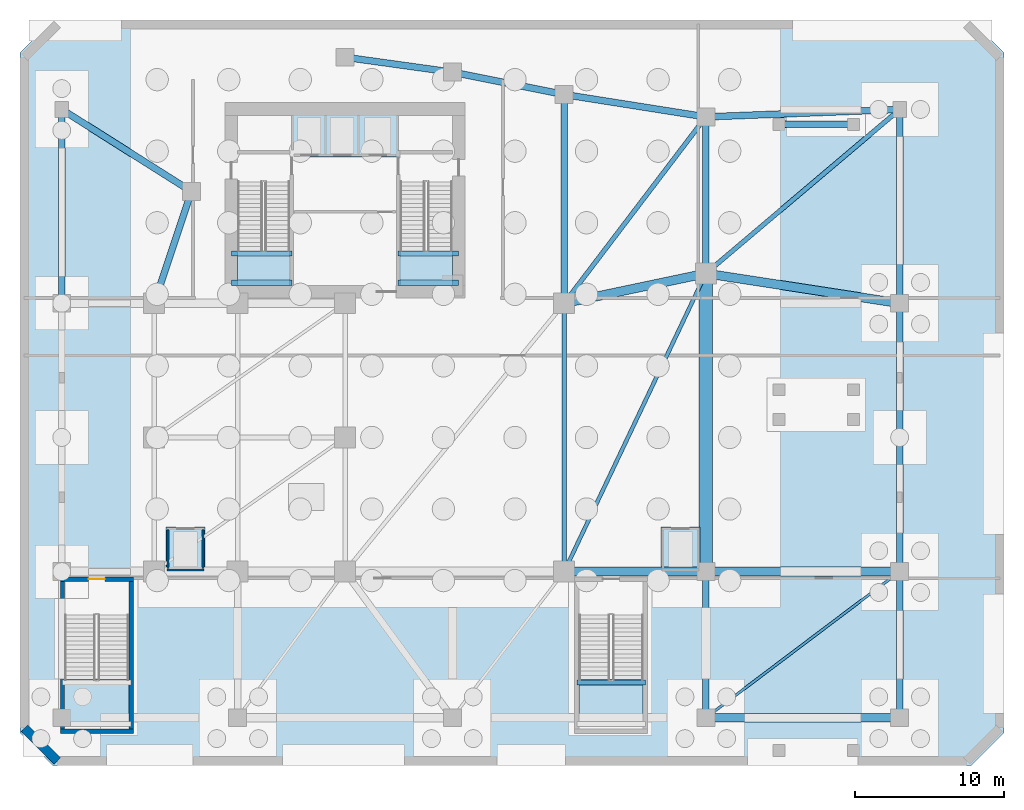
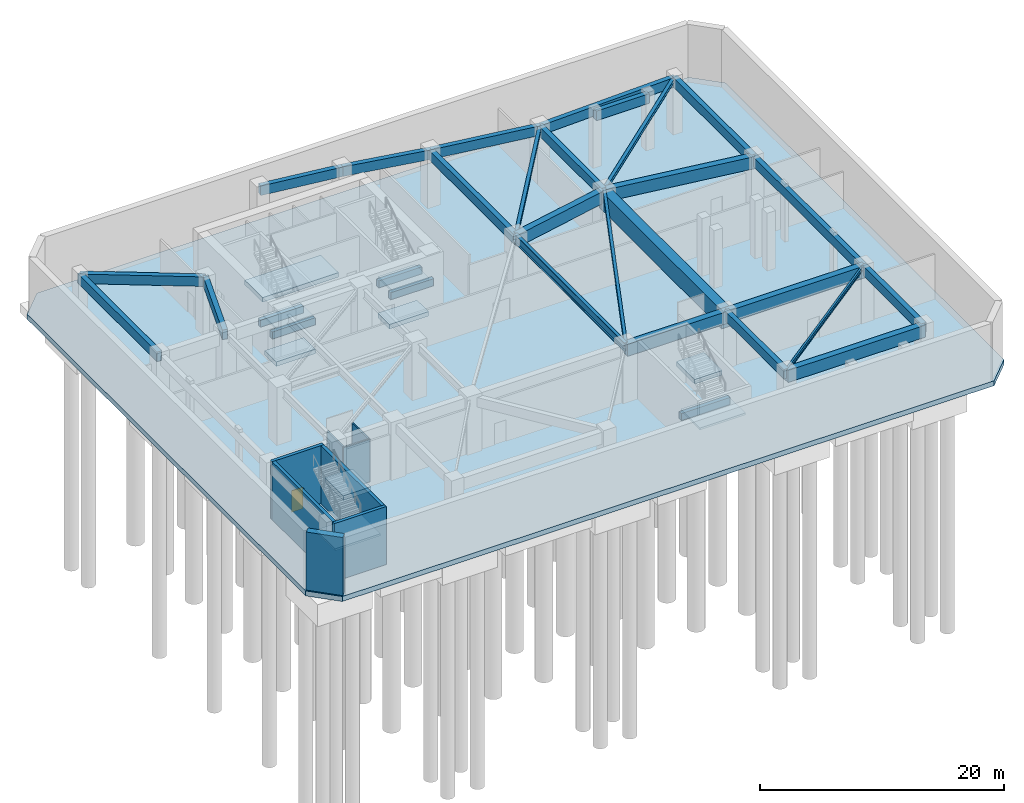
# One storey, part 3 of 9: 30 beams, 10 slabs, 8 walls, 1 door, 1 opening, 4 elements without a shape of their own.
"""IFC4 building model written with IfcOpenShell, lengths in metres."""

import ifcopenshell
import ifcopenshell.guid

model = None  # the IFC model being written
_history = None  # IfcOwnerHistory: only IFC2X3 demands one
_inside = {}  # id of a spatial element -> (the spatial element, [elements in it])
_under = {}  # id of a project, library or spatial element -> (it, [spatial elements below it])
_declared = {}  # id of a project -> (the project, [libraries it declares])
_typed = {}  # id of a type object -> (the type object, [elements of that type])
_made_of = {}  # id of a material, layer set ... -> (it, [elements and type objects made of it])


def new_model(schema):
    """Start an empty IFC model of exactly this schema.

    Asked for "IFC4X3", IfcOpenShell would pick the latest addendum, in which some entities
    have other attributes; the version numbers below select the first issue.
    IFC2X3 requires an IfcOwnerHistory on every rooted entity: one is made here for all.
    """
    global model, _history
    if schema == "IFC4X3":
        model = ifcopenshell.file(schema_version=(4, 3, 0, 0))
    else:
        model = ifcopenshell.file(schema=schema)
    _inside.clear()
    _under.clear()
    _declared.clear()
    _typed.clear()
    _made_of.clear()
    _history = None
    if model.schema == "IFC2X3":
        org = make("IfcOrganization", Name="unknown")
        user = make(
            "IfcPersonAndOrganization",
            ThePerson=make("IfcPerson", FamilyName="unknown"),
            TheOrganization=org,
        )
        app = make(
            "IfcApplication",
            ApplicationDeveloper=org,
            Version="unknown",
            ApplicationFullName="unknown",
            ApplicationIdentifier="unknown",
        )
        _history = make(
            "IfcOwnerHistory",
            OwningUser=user,
            OwningApplication=app,
            ChangeAction="ADDED",
            CreationDate=0,
        )
    return model


def make(cls, **values):
    """One entity of the class cls with the attributes given. An attribute that is None is left unset."""
    return model.create_entity(
        cls, **{name: value for name, value in values.items() if value is not None}
    )


def rooted(cls, **values):
    """An entity with a GlobalId (a new one), such as an element, a storey or a relation."""
    return make(cls, GlobalId=ifcopenshell.guid.new(), OwnerHistory=_history, **values)


def si_unit(unit_type, name, prefix=None):
    """IfcSIUnit, for example si_unit("LENGTHUNIT", "METRE", prefix="MILLI")."""
    return make("IfcSIUnit", UnitType=unit_type, Prefix=prefix, Name=name)


def assignment(units):
    """IfcUnitAssignment: the units of a project."""
    return None if units is None else make("IfcUnitAssignment", Units=units)


def point(xyz):
    """IfcCartesianPoint."""
    return None if xyz is None else make("IfcCartesianPoint", Coordinates=xyz)


def direction(xyz):
    """IfcDirection."""
    return None if xyz is None else make("IfcDirection", DirectionRatios=xyz)


def frame(location, z_axis=None, x_axis=None):
    """IfcAxis2Placement3D, a coordinate frame: its origin and axes. An axis left out is left unset."""
    return make(
        "IfcAxis2Placement3D",
        Location=point(location),
        Axis=direction(z_axis),
        RefDirection=direction(x_axis),
    )


def frame_2d(location, x_axis=None):
    """IfcAxis2Placement2D, a coordinate frame in the plane: its origin and x axis."""
    return make(
        "IfcAxis2Placement2D", Location=point(location), RefDirection=direction(x_axis)
    )


def origin():
    """The frame at (0, 0, 0) with its axes left unset."""
    return frame((0.0, 0.0, 0.0))


def origin_2d():
    """The frame at (0, 0) in the plane with its x axis left unset."""
    return frame_2d((0.0, 0.0))


def place(relative_to, where):
    """IfcLocalPlacement: puts the frame where relative to a parent placement (None: the world)."""
    return make(
        "IfcLocalPlacement", PlacementRelTo=relative_to, RelativePlacement=where
    )


def context(
    kind, dimensions, precision=None, world=None, true_north=None, identifier=None
):
    """IfcGeometricRepresentationContext, for example the 3D "Model" context."""
    return make(
        "IfcGeometricRepresentationContext",
        ContextIdentifier=identifier,
        ContextType=kind,
        CoordinateSpaceDimension=dimensions,
        Precision=precision,
        WorldCoordinateSystem=world,
        TrueNorth=true_north,
    )


def subcontext(parent, identifier, kind, view, scale=None):
    """IfcGeometricRepresentationSubContext, for example "Body" below "Model"."""
    return make(
        "IfcGeometricRepresentationSubContext",
        ContextIdentifier=identifier,
        ContextType=kind,
        ParentContext=parent,
        TargetScale=scale,
        TargetView=view,
    )


def project(units=None, contexts=None):
    """IfcProject with its units and contexts."""
    return rooted(
        "IfcProject",
        Name="project",
        RepresentationContexts=contexts,
        UnitsInContext=assignment(units),
    )


def spatial(cls, under=None, at=None, **own):
    """A site, building, storey or space (cls), placed at a placement, below another one or the project."""
    s = rooted(cls, ObjectPlacement=at, **own)
    if under is not None:
        _under.setdefault(under.id(), (under, []))[1].append(s)
    return s


def polyline(points):
    """IfcPolyline through the points."""
    return make("IfcPolyline", Points=[point(p) for p in points])


def profile(cls, at=None, kind="AREA", **sizes):
    """A parametric profile (cls). Its sizes go by their IFC names, for example OverallWidth=200.0."""
    return make(cls, ProfileType=kind, Position=at, **sizes)


def rectangle(**sizes):
    """IfcRectangleProfileDef."""
    return profile("IfcRectangleProfileDef", **sizes)


def i_section(**sizes):
    """IfcIShapeProfileDef."""
    return profile("IfcIShapeProfileDef", **sizes)


def outline(outer, holes=None, kind="AREA"):
    """IfcArbitraryClosedProfileDef: a profile drawn as a closed curve; with holes, ...WithVoids."""
    if holes is None:
        return make("IfcArbitraryClosedProfileDef", ProfileType=kind, OuterCurve=outer)
    return make(
        "IfcArbitraryProfileDefWithVoids",
        ProfileType=kind,
        OuterCurve=outer,
        InnerCurves=holes,
    )


def extrude(swept, where, along, depth):
    """IfcExtrudedAreaSolid: the profile swept, set in the frame where, extruded along a direction by depth."""
    return make(
        "IfcExtrudedAreaSolid",
        SweptArea=swept,
        Position=where,
        ExtrudedDirection=direction(along),
        Depth=depth,
    )


def shape(context_of_items, identifier, shape_type, items):
    """IfcShapeRepresentation: the items that make up one representation, for example the "Body"."""
    return make(
        "IfcShapeRepresentation",
        ContextOfItems=context_of_items,
        RepresentationIdentifier=identifier,
        RepresentationType=shape_type,
        Items=items,
    )


def source(mapping_origin, context_of_items, identifier, shape_type, items):
    """IfcRepresentationMap: a shape defined once, which mapped items show again and again."""
    return make(
        "IfcRepresentationMap",
        MappingOrigin=mapping_origin,
        MappedRepresentation=shape(context_of_items, identifier, shape_type, items),
    )


def transform(
    local_origin,
    x_axis=None,
    y_axis=None,
    z_axis=None,
    scale=None,
    scale2=None,
    scale3=None,
    uniform=True,
):
    """IfcCartesianTransformationOperator3D, or its non-uniform kind. x_axis, y_axis, z_axis: its Axis1, 2, 3."""
    if uniform:
        return make(
            "IfcCartesianTransformationOperator3D",
            Axis1=direction(x_axis),
            Axis2=direction(y_axis),
            LocalOrigin=point(local_origin),
            Scale=scale,
            Axis3=direction(z_axis),
        )
    return make(
        "IfcCartesianTransformationOperator3DnonUniform",
        Axis1=direction(x_axis),
        Axis2=direction(y_axis),
        LocalOrigin=point(local_origin),
        Scale=scale,
        Axis3=direction(z_axis),
        Scale2=scale2,
        Scale3=scale3,
    )


def mapped(mapping_source, mapping_target):
    """IfcMappedItem: shows the shape of a source again, moved by a transform."""
    return make(
        "IfcMappedItem", MappingSource=mapping_source, MappingTarget=mapping_target
    )


def material(Name=None, Category=None):
    """IfcMaterial."""
    return make("IfcMaterial", Name=Name, Category=Category)


def layer(
    of_material, thickness, ventilated=None, Name=None, Category=None, Priority=None
):
    """IfcMaterialLayer: one layer of a wall or slab, of a material (None: an air gap)."""
    return make(
        "IfcMaterialLayer",
        Material=of_material,
        LayerThickness=thickness,
        IsVentilated=ventilated,
        Name=Name,
        Category=Category,
        Priority=Priority,
    )


def layer_set(layers, Name=None):
    """IfcMaterialLayerSet."""
    return make("IfcMaterialLayerSet", MaterialLayers=layers, LayerSetName=Name)


def material_profile(
    of_material, cross_section, Name=None, Category=None, Priority=None
):
    """IfcMaterialProfile: a cross section and its material."""
    return make(
        "IfcMaterialProfile",
        Name=Name,
        Material=of_material,
        Profile=cross_section,
        Priority=Priority,
        Category=Category,
    )


def profile_set(profiles, Name=None, composite=None):
    """IfcMaterialProfileSet."""
    return make(
        "IfcMaterialProfileSet",
        Name=Name,
        MaterialProfiles=profiles,
        CompositeProfile=composite,
    )


def made_of(thing, what):
    """Note that an element or type object is made of a material, layer set ...; save() writes the relation."""
    if what is not None:
        _made_of.setdefault(what.id(), (what, []))[1].append(thing)
    return thing


def type_object(cls, material=None, **own):
    """A type object (cls), such as IfcWallType, which elements share."""
    return made_of(rooted(cls, **own), material)


def element(
    cls,
    number,
    at=None,
    inside=None,
    cuts=None,
    type_object=None,
    material=None,
    context=None,
    identifier="Body",
    shape_type=None,
    held_by="IfcProductDefinitionShape",
    body=None,
    shapes=None,
    **own,
):
    """One element of the class cls, such as IfcWall. Its Tag is "e" and its number.

    at: its placement. inside: the storey or other place that contains it. cuts: it is an
    opening in that element (IfcRelVoidsElement). A single representation is given by context,
    identifier, shape_type and body (its items); several are given by shapes. held_by: the class
    of the entity that holds the representations. save() writes the other relations.
    """
    e = rooted(cls, Tag="e%d" % number, ObjectPlacement=at, **own)
    if body is not None:
        shapes = [shape(context, identifier, shape_type, body)]
    if shapes is not None:
        e.Representation = make(held_by, Representations=shapes)
    if inside is not None:
        _inside.setdefault(inside.id(), (inside, []))[1].append(e)
    if cuts is not None:
        rooted(
            "IfcRelVoidsElement", RelatingBuildingElement=cuts, RelatedOpeningElement=e
        )
    if type_object is not None:
        _typed.setdefault(type_object.id(), (type_object, []))[1].append(e)
    return made_of(e, material)


def fill(opening, filler):
    """IfcRelFillsElement: the door or window that sits in an opening."""
    return rooted(
        "IfcRelFillsElement",
        RelatingOpeningElement=opening,
        RelatedBuildingElement=filler,
    )


def aggregate(whole, parts):
    """IfcRelAggregates: a whole, such as a stair, and the parts it consists of."""
    return rooted("IfcRelAggregates", RelatingObject=whole, RelatedObjects=parts)


def save(model, path):
    """Write the relations noted so far, then the file.

    IfcRelAggregates (storeys below a building ...), IfcRelContainedInSpatialStructure (elements
    in a storey), IfcRelDefinesByType, IfcRelAssociatesMaterial and IfcRelDeclares: one each for
    every whole, place, type object, material and project.
    """
    for whole, parts in _under.values():
        aggregate(whole, parts)
    for where, things in _inside.values():
        rooted(
            "IfcRelContainedInSpatialStructure",
            RelatedElements=things,
            RelatingStructure=where,
        )
    for kind, things in _typed.values():
        rooted("IfcRelDefinesByType", RelatedObjects=things, RelatingType=kind)
    for what, things in _made_of.values():
        rooted("IfcRelAssociatesMaterial", RelatedObjects=things, RelatingMaterial=what)
    for by, libraries in _declared.values():
        rooted("IfcRelDeclares", RelatingContext=by, RelatedDefinitions=libraries)
    model.write(path)


model = new_model("IFC4")

# Units and contexts
model_context = context("Model", 3, precision=1e-05, world=origin(), true_north=direction((0.0, 1.0)))
body_context = subcontext(model_context, "Body", "Model", "MODEL_VIEW")
ifc_project = project(units=[si_unit("LENGTHUNIT", "METRE"), si_unit("AREAUNIT", "SQUARE_METRE"), si_unit("VOLUMEUNIT", "CUBIC_METRE"), si_unit("PLANEANGLEUNIT", "RADIAN"), si_unit("MASSUNIT", "GRAM", prefix="KILO")], contexts=[model_context])

# Site, building, storey
site_placement = place(None, origin())
site = spatial("IfcSite", under=ifc_project, at=site_placement, CompositionType="ELEMENT")
building_placement = place(site_placement, origin())
building = spatial("IfcBuilding", under=site, at=building_placement, Name="Calvemar Wedge Station Tower", CompositionType="ELEMENT")
storey_placement = place(building_placement, frame((0.0, 0.0, -11.199951171875)))
storey = spatial("IfcBuildingStorey", under=building, at=storey_placement, Name="B02", CompositionType="ELEMENT", Elevation=-11.199951171875)

# Beams
ifc_material_1 = material(Name="Concrete C70", Category="concrete")
ifc_material_profile_1 = material_profile(ifc_material_1, rectangle(XDim=0.35009765625, YDim=0.699951171875, at=origin_2d()), Name="RC350x700")
ifc_profile_set_1 = profile_set([ifc_material_profile_1], Name="Concrete C70")
beam_type_1 = type_object("IfcBeamType", Name="BM-LN1-700", PredefinedType="LINTEL", material=ifc_profile_set_1)
shared_shape_1 = source(origin(), body_context, "Body", "SweptSolid", [
    extrude(rectangle(XDim=0.35009765625, YDim=0.699951171875, at=origin_2d()), origin(), (0.0, 0.0, 1.0), 4.054931640625),
])
for number, where, z_axis, x_axis, name in (
    (1, (16.175048828125, 34.3798828125, 2.349853515625), (1.0, 0.0, 0.0), (0.0, 1.0, 0.0), "Storey B02 Stair ST-C1 Half-Landing Beam 1A"),
    (2, (16.175048828125, 36.330078125, 2.349853515625), (1.0, 0.0, 0.0), (0.0, 1.0, 0.0), "Storey B02 Stair ST-C1 Half-Landing Beam 1B"),
    (3, (27.3701171875, 34.3798828125, 2.349853515625), (1.0, 0.0, 0.0), (0.0, 1.0, 0.0), "Storey B02 Stair ST-C2 Half-Landing Beam 1A"),
    (4, (27.3701171875, 36.330078125, 2.349853515625), (1.0, 0.0, 0.0), (0.0, 1.0, 0.0), "Storey B02 Stair ST-C2 Half-Landing Beam 1B"),
):
    element("IfcBeam", number, at=place(storey_placement, frame(where, z_axis=z_axis, x_axis=x_axis)), inside=storey, type_object=beam_type_1, Name=name, PredefinedType="LINTEL", context=body_context, shape_type="MappedRepresentation", body=[
        mapped(shared_shape_1, transform((0.0, 0.0, 0.0), scale=1.0)),
    ])
shared_shape_2 = source(origin(), body_context, "Body", "SweptSolid", [
    extrude(rectangle(XDim=0.35009765625, YDim=0.699951171875, at=origin_2d()), origin(), (0.0, 0.0, 1.0), 4.599853515625),
])
beam_1_placement = place(storey_placement, frame((39.35009765625, 7.570068359375, 2.349853515625), z_axis=(1.0, 0.0, 0.0), x_axis=(0.0, 1.0, 0.0)))
element("IfcBeam", 5, at=beam_1_placement, inside=storey, type_object=beam_type_1, Name="Storey B02 Stair ST-P2 Half-Landing Beam 1B", PredefinedType="LINTEL", context=body_context, shape_type="MappedRepresentation", body=[
    mapped(shared_shape_2, transform((0.0, 0.0, 0.0), scale=1.0)),
])
ifc_material_2 = material(Name="Concrete C60", Category="concrete")
ifc_material_profile_2 = material_profile(ifc_material_2, rectangle(XDim=0.60009765625, YDim=1.199951171875, at=origin_2d()), Name="RC600x1200")
ifc_profile_set_2 = profile_set([ifc_material_profile_2], Name="Concrete C60")
beam_type_2 = type_object("IfcBeamType", Name="BM-G1-1200", PredefinedType="BEAM", material=ifc_profile_set_2)
shared_shape_3 = source(origin(), body_context, "Body", "SweptSolid", [
    extrude(rectangle(XDim=0.60009765625, YDim=1.199951171875, at=origin_2d()), origin(), (0.0, 0.0, 1.0), 13.0),
])
for number, where, z_axis, x_axis, name in (
    (6, (48.0, 5.199951171875, 4.8798828125), (1.0, 0.0, 0.0), (0.0, 1.0, 0.0), "Storey B02 Primary Girder G04"),
    (7, (48.0, 15.0, 4.8798828125), (1.0, 0.0, 0.0), (0.0, 1.0, 0.0), "Storey B02 Primary Girder G10"),
):
    element("IfcBeam", number, at=place(storey_placement, frame(where, z_axis=z_axis, x_axis=x_axis)), inside=storey, type_object=beam_type_2, Name=name, PredefinedType="BEAM", context=body_context, shape_type="MappedRepresentation", body=[
        mapped(shared_shape_3, transform((0.0, 0.0, 0.0), scale=1.0)),
    ])
shared_shape_4 = source(origin(), body_context, "Body", "SweptSolid", [
    extrude(rectangle(XDim=0.60009765625, YDim=1.199951171875, at=origin_2d()), origin(), (0.0, 0.0, 1.0), 9.5),
])
beam_2_placement = place(storey_placement, frame((38.5, 15.0, 4.8798828125), z_axis=(1.0, 0.0, 0.0), x_axis=(0.0, 1.0, 0.0)))
element("IfcBeam", 8, at=beam_2_placement, inside=storey, type_object=beam_type_2, Name="Storey B02 Primary Girder G09", PredefinedType="BEAM", context=body_context, shape_type="MappedRepresentation", body=[
    mapped(shared_shape_4, transform((0.0, 0.0, 0.0), scale=1.0)),
])
shared_shape_5 = source(origin(), body_context, "Body", "SweptSolid", [
    extrude(rectangle(XDim=0.60009765625, YDim=1.199951171875, at=origin_2d()), origin(), (0.0, 0.0, 1.0), 9.708251953125),
])
beam_3_placement = place(storey_placement, frame((38.5, 33.0, 4.8798828125), z_axis=(0.978549784987, 0.20601048105, 0.0), x_axis=(-0.20601048105, 0.978549784987, 0.0)))
element("IfcBeam", 9, at=beam_3_placement, inside=storey, type_object=beam_type_2, Name="Storey B02 Primary Girder G16", PredefinedType="BEAM", context=body_context, shape_type="MappedRepresentation", body=[
    mapped(shared_shape_5, transform((0.0, 0.0, 0.0), scale=1.0)),
])
shared_shape_6 = source(origin(), body_context, "Body", "SweptSolid", [
    extrude(rectangle(XDim=0.60009765625, YDim=1.199951171875, at=origin_2d()), origin(), (0.0, 0.0, 1.0), 13.15283203125),
])
beam_4_placement = place(storey_placement, frame((48.0, 35.0, 4.8798828125), z_axis=(0.988371697651, -0.152057184254, 0.0), x_axis=(0.152057184254, 0.988371697651, 0.0)))
element("IfcBeam", 10, at=beam_4_placement, inside=storey, type_object=beam_type_2, Name="Storey B02 Primary Girder G17", PredefinedType="BEAM", context=body_context, shape_type="MappedRepresentation", body=[
    mapped(shared_shape_6, transform((0.0, 0.0, 0.0), scale=1.0)),
])
ifc_material_3 = material(Name="Concrete C50", Category="concrete")
ifc_material_profile_3 = material_profile(ifc_material_3, rectangle(XDim=0.449951171875, YDim=0.949951171875, at=origin_2d()), Name="RC450x950")
ifc_profile_set_3 = profile_set([ifc_material_profile_3], Name="Concrete C50")
beam_type_3 = type_object("IfcBeamType", Name="BM-G2-950", PredefinedType="BEAM", material=ifc_profile_set_3)
shared_shape_7 = source(origin(), body_context, "Body", "SweptSolid", [
    extrude(rectangle(XDim=0.449951171875, YDim=0.949951171875, at=origin_2d()), origin(), (0.0, 0.0, 1.0), 18.0),
])
beam_5_placement = place(storey_placement, frame((61.0, 15.0, 5.0048828125), z_axis=(0.0, 1.0, 0.0), x_axis=(-1.0, 0.0, 0.0)))
element("IfcBeam", 11, at=beam_5_placement, inside=storey, type_object=beam_type_3, Name="Storey B02 Primary Girder G26", PredefinedType="BEAM", context=body_context, shape_type="MappedRepresentation", body=[
    mapped(shared_shape_7, transform((0.0, 0.0, 0.0), scale=1.0)),
])
ifc_material_4 = material(Name="Structural steel ASTM A572 Grade 50", Category="steel")
ifc_material_profile_4 = material_profile(ifc_material_4, i_section(OverallWidth=0.303955078125, OverallDepth=0.862060546875, WebThickness=0.019775390625, FlangeThickness=0.035888671875, FilletRadius=0.02001953125, at=origin_2d()), Name="W840x329")
ifc_profile_set_4 = profile_set([ifc_material_profile_4], Name="Structural steel ASTM A572 Grade 50")
beam_type_4 = type_object("IfcBeamType", Name="BM-TR2-W840", PredefinedType="BEAM", material=ifc_profile_set_4)
shared_shape_8 = source(origin(), body_context, "Body", "SweptSolid", [
    extrude(i_section(OverallWidth=0.303955078125, OverallDepth=0.862060546875, WebThickness=0.019775390625, FlangeThickness=0.035888671875, FilletRadius=0.02001953125, at=origin_2d()), origin(), (0.0, 0.0, 1.0), 18.0),
])
beam_6_placement = place(storey_placement, frame((38.5, 15.0, 5.049072265625), z_axis=(0.0, 1.0, 0.0), x_axis=(-1.0, 0.0, 0.0)))
element("IfcBeam", 12, at=beam_6_placement, inside=storey, type_object=beam_type_4, Name="Storey B02 Primary Girder G24", PredefinedType="BEAM", context=body_context, shape_type="MappedRepresentation", body=[
    mapped(shared_shape_8, transform((0.0, 0.0, 0.0), scale=1.0)),
])
ifc_material_profile_5 = material_profile(ifc_material_2, rectangle(XDim=0.89990234375, YDim=1.800048828125, at=origin_2d()), Name="RC900x1800")
ifc_profile_set_5 = profile_set([ifc_material_profile_5], Name="Concrete C60")
beam_type_5 = type_object("IfcBeamType", Name="BM-TG2-1800", PredefinedType="BEAM", material=ifc_profile_set_5)
shared_shape_9 = source(origin(), body_context, "Body", "SweptSolid", [
    extrude(rectangle(XDim=0.89990234375, YDim=1.800048828125, at=origin_2d()), origin(), (0.0, 0.0, 1.0), 20.0),
])
beam_7_placement = place(storey_placement, frame((48.0, 15.0, 4.579833984375), z_axis=(0.0, 1.0, 0.0), x_axis=(-1.0, 0.0, 0.0)))
element("IfcBeam", 13, at=beam_7_placement, inside=storey, type_object=beam_type_5, Name="Storey B02 Primary Girder G25", PredefinedType="BEAM", context=body_context, shape_type="MappedRepresentation", body=[
    mapped(shared_shape_9, transform((0.0, 0.0, 0.0), scale=1.0)),
])
shared_shape_10 = source(origin(), body_context, "Body", "SweptSolid", [
    extrude(rectangle(XDim=0.449951171875, YDim=0.949951171875, at=origin_2d()), origin(), (0.0, 0.0, 1.0), 9.800048828125),
])
for number, where, z_axis, x_axis, name in (
    (14, (48.0, 5.199951171875, 5.0048828125), (0.0, 1.0, 0.0), (-1.0, 0.0, 0.0), "Storey B02 Primary Girder G31"),
    (15, (61.0, 5.199951171875, 5.0048828125), (0.0, 1.0, 0.0), (-1.0, 0.0, 0.0), "Storey B02 Primary Girder G32"),
):
    element("IfcBeam", number, at=place(storey_placement, frame(where, z_axis=z_axis, x_axis=x_axis)), inside=storey, type_object=beam_type_3, Name=name, PredefinedType="BEAM", context=body_context, shape_type="MappedRepresentation", body=[
        mapped(shared_shape_10, transform((0.0, 0.0, 0.0), scale=1.0)),
    ])
shared_shape_11 = source(origin(), body_context, "Body", "SweptSolid", [
    extrude(rectangle(XDim=0.449951171875, YDim=0.949951171875, at=origin_2d()), origin(), (0.0, 0.0, 1.0), 13.0),
])
for number, where, z_axis, x_axis, name in (
    (16, (4.800048828125, 33.0, 5.0048828125), (0.0, 1.0, 0.0), (-1.0, 0.0, 0.0), "Storey B02 Primary Girder G33"),
    (17, (61.0, 33.0, 5.0048828125), (0.0, 1.0, 0.0), (-1.0, 0.0, 0.0), "Storey B02 Primary Girder G37"),
):
    element("IfcBeam", number, at=place(storey_placement, frame(where, z_axis=z_axis, x_axis=x_axis)), inside=storey, type_object=beam_type_3, Name=name, PredefinedType="BEAM", context=body_context, shape_type="MappedRepresentation", body=[
        mapped(shared_shape_11, transform((0.0, 0.0, 0.0), scale=1.0)),
    ])
shared_shape_12 = source(origin(), body_context, "Body", "SweptSolid", [
    extrude(rectangle(XDim=0.449951171875, YDim=0.949951171875, at=origin_2d()), origin(), (0.0, 0.0, 1.0), 7.90576171875),
])
beam_8_placement = place(storey_placement, frame((11.0, 33.0, 5.0048828125), z_axis=(0.316227766017, 0.948683298051, 0.0), x_axis=(-0.948683298051, 0.316227766017, 0.0)))
element("IfcBeam", 18, at=beam_8_placement, inside=storey, type_object=beam_type_3, Name="Storey B02 Primary Girder G34", PredefinedType="BEAM", context=body_context, shape_type="MappedRepresentation", body=[
    mapped(shared_shape_12, transform((0.0, 0.0, 0.0), scale=1.0)),
])
shared_shape_13 = source(origin(), body_context, "Body", "SweptSolid", [
    extrude(rectangle(XDim=0.449951171875, YDim=0.949951171875, at=origin_2d()), origin(), (0.0, 0.0, 1.0), 14.0),
])
beam_9_placement = place(storey_placement, frame((38.5, 33.0, 5.0048828125), z_axis=(0.0, 1.0, 0.0), x_axis=(-1.0, 0.0, 0.0)))
element("IfcBeam", 19, at=beam_9_placement, inside=storey, type_object=beam_type_3, Name="Storey B02 Primary Girder G35", PredefinedType="BEAM", context=body_context, shape_type="MappedRepresentation", body=[
    mapped(shared_shape_13, transform((0.0, 0.0, 0.0), scale=1.0)),
])
shared_shape_14 = source(origin(), body_context, "Body", "SweptSolid", [
    extrude(rectangle(XDim=0.449951171875, YDim=0.949951171875, at=origin_2d()), origin(), (0.0, 0.0, 1.0), 10.5),
])
beam_10_placement = place(storey_placement, frame((48.0, 35.0, 5.0048828125), z_axis=(0.0, 1.0, 0.0), x_axis=(-1.0, 0.0, 0.0)))
element("IfcBeam", 20, at=beam_10_placement, inside=storey, type_object=beam_type_3, Name="Storey B02 Primary Girder G36", PredefinedType="BEAM", context=body_context, shape_type="MappedRepresentation", body=[
    mapped(shared_shape_14, transform((0.0, 0.0, 0.0), scale=1.0)),
])
shared_shape_15 = source(origin(), body_context, "Body", "SweptSolid", [
    extrude(rectangle(XDim=0.449951171875, YDim=0.949951171875, at=origin_2d()), origin(), (0.0, 0.0, 1.0), 10.292724609375),
])
beam_11_placement = place(storey_placement, frame((4.800048828125, 46.0, 5.0048828125), z_axis=(0.845256603473, -0.534360621946, 0.0), x_axis=(0.534360621946, 0.845256603473, 0.0)))
element("IfcBeam", 21, at=beam_11_placement, inside=storey, type_object=beam_type_3, Name="Storey B02 Primary Girder G38", PredefinedType="BEAM", context=body_context, shape_type="MappedRepresentation", body=[
    mapped(shared_shape_15, transform((0.0, 0.0, 0.0), scale=1.0)),
])
shared_shape_16 = source(origin(), body_context, "Body", "SweptSolid", [
    extrude(rectangle(XDim=0.449951171875, YDim=0.949951171875, at=origin_2d()), origin(), (0.0, 0.0, 1.0), 7.26904296875),
])
beam_12_placement = place(storey_placement, frame((23.800048828125, 49.5, 5.0048828125), z_axis=(0.990492146053, -0.13756928657, 0.0), x_axis=(0.13756928657, 0.990492146053, 0.0)))
element("IfcBeam", 22, at=beam_12_placement, inside=storey, type_object=beam_type_3, Name="Storey B02 Primary Girder G39", PredefinedType="BEAM", context=body_context, shape_type="MappedRepresentation", body=[
    mapped(shared_shape_16, transform((0.0, 0.0, 0.0), scale=1.0)),
])
shared_shape_17 = source(origin(), body_context, "Body", "SweptSolid", [
    extrude(rectangle(XDim=0.449951171875, YDim=0.949951171875, at=origin_2d()), origin(), (0.0, 0.0, 1.0), 7.6484375),
])
beam_13_placement = place(storey_placement, frame((31.0, 48.5, 5.0048828125), z_axis=(0.980580675691, -0.196116135138, 0.0), x_axis=(0.196116135138, 0.980580675691, 0.0)))
element("IfcBeam", 23, at=beam_13_placement, inside=storey, type_object=beam_type_3, Name="Storey B02 Primary Girder G40", PredefinedType="BEAM", context=body_context, shape_type="MappedRepresentation", body=[
    mapped(shared_shape_17, transform((0.0, 0.0, 0.0), scale=1.0)),
])
shared_shape_18 = source(origin(), body_context, "Body", "SweptSolid", [
    extrude(rectangle(XDim=0.449951171875, YDim=0.949951171875, at=origin_2d()), origin(), (0.0, 0.0, 1.0), 9.61767578125),
])
beam_14_placement = place(storey_placement, frame((38.5, 47.0, 5.0048828125), z_axis=(0.987762965329, -0.155962573473, 0.0), x_axis=(0.155962573473, 0.987762965329, 0.0)))
element("IfcBeam", 24, at=beam_14_placement, inside=storey, type_object=beam_type_3, Name="Storey B02 Primary Girder G41", PredefinedType="BEAM", context=body_context, shape_type="MappedRepresentation", body=[
    mapped(shared_shape_18, transform((0.0, 0.0, 0.0), scale=1.0)),
])
shared_shape_19 = source(origin(), body_context, "Body", "SweptSolid", [
    extrude(rectangle(XDim=0.449951171875, YDim=0.949951171875, at=origin_2d()), origin(), (0.0, 0.0, 1.0), 13.009521484375),
])
beam_15_placement = place(storey_placement, frame((48.0, 45.5, 5.0048828125), z_axis=(0.999261174631, 0.038433122101, 0.0), x_axis=(-0.038433122101, 0.999261174631, 0.0)))
element("IfcBeam", 25, at=beam_15_placement, inside=storey, type_object=beam_type_3, Name="Storey B02 Primary Girder G42", PredefinedType="BEAM", context=body_context, shape_type="MappedRepresentation", body=[
    mapped(shared_shape_19, transform((0.0, 0.0, 0.0), scale=1.0)),
])
ifc_material_profile_6 = material_profile(ifc_material_4, i_section(OverallWidth=0.260986328125, OverallDepth=0.419921875, WebThickness=0.01171875, FlangeThickness=0.019287109375, FilletRadius=0.012939453125, at=origin_2d()), Name="W410x114")
ifc_profile_set_6 = profile_set([ifc_material_profile_6], Name="Structural steel ASTM A572 Grade 50")
beam_type_6 = type_object("IfcBeamType", Name="BM-J2-W410H", PredefinedType="JOIST", material=ifc_profile_set_6)
shared_shape_20 = source(origin(), body_context, "Body", "SweptSolid", [
    extrude(i_section(OverallWidth=0.260986328125, OverallDepth=0.419921875, WebThickness=0.01171875, FlangeThickness=0.019287109375, FilletRadius=0.012939453125, at=origin_2d()), origin(), (0.0, 0.0, 1.0), 22.1416015625),
])
beam_16_placement = place(storey_placement, frame((38.5, 15.0, 5.27001953125), z_axis=(0.429056814568, 0.903277504354, 0.0), x_axis=(-0.903277504354, 0.429056814568, 0.0)))
element("IfcBeam", 26, at=beam_16_placement, inside=storey, type_object=beam_type_6, Name="Storey B02 Concourse Cross Joist 4", PredefinedType="JOIST", context=body_context, shape_type="MappedRepresentation", body=[
    mapped(shared_shape_20, transform((0.0, 0.0, 0.0), scale=1.0)),
])
ifc_material_profile_7 = material_profile(ifc_material_4, i_section(OverallWidth=0.177978515625, OverallDepth=0.406982421875, WebThickness=0.0078125, FlangeThickness=0.0126953125, FilletRadius=0.010009765625, at=origin_2d()), Name="W410x60")
ifc_profile_set_7 = profile_set([ifc_material_profile_7], Name="Structural steel ASTM A572 Grade 50")
beam_type_7 = type_object("IfcBeamType", Name="BM-J3-W410", PredefinedType="JOIST", material=ifc_profile_set_7)
shared_shape_21 = source(origin(), body_context, "Body", "SweptSolid", [
    extrude(i_section(OverallWidth=0.177978515625, OverallDepth=0.406982421875, WebThickness=0.0078125, FlangeThickness=0.0126953125, FilletRadius=0.010009765625, at=origin_2d()), origin(), (0.0, 0.0, 1.0), 16.280029296875),
])
beam_17_placement = place(storey_placement, frame((48.0, 5.199951171875, 5.2763671875), z_axis=(0.798521946551, 0.601965697425, 0.0), x_axis=(-0.601965697425, 0.798521946551, 0.0)))
element("IfcBeam", 27, at=beam_17_placement, inside=storey, type_object=beam_type_7, Name="Storey B02 Concourse Cross Joist 8", PredefinedType="JOIST", context=body_context, shape_type="MappedRepresentation", body=[
    mapped(shared_shape_21, transform((0.0, 0.0, 0.0), scale=1.0)),
])
ifc_material_profile_8 = material_profile(ifc_material_4, i_section(OverallWidth=0.30908203125, OverallDepth=0.322998046875, WebThickness=0.013916015625, FlangeThickness=0.02294921875, FilletRadius=0.014892578125, at=origin_2d()), Name="W310x143")
ifc_profile_set_8 = profile_set([ifc_material_profile_8], Name="Structural steel ASTM A572 Grade 50")
beam_type_8 = type_object("IfcBeamType", Name="BM-J5-W310H", PredefinedType="JOIST", material=ifc_profile_set_8)
shared_shape_22 = source(origin(), body_context, "Body", "SweptSolid", [
    extrude(i_section(OverallWidth=0.30908203125, OverallDepth=0.322998046875, WebThickness=0.013916015625, FlangeThickness=0.02294921875, FilletRadius=0.014892578125, at=origin_2d()), origin(), (0.0, 0.0, 1.0), 15.700439453125),
])
beam_18_placement = place(storey_placement, frame((38.5, 33.0, 5.318359375), z_axis=(0.605083267534, 0.796162194123, 0.0), x_axis=(-0.796162194123, 0.605083267534, 0.0)))
element("IfcBeam", 28, at=beam_18_placement, inside=storey, type_object=beam_type_8, Name="Storey B02 Concourse Cross Joist 11", PredefinedType="JOIST", context=body_context, shape_type="MappedRepresentation", body=[
    mapped(shared_shape_22, transform((0.0, 0.0, 0.0), scale=1.0)),
])
shared_shape_23 = source(origin(), body_context, "Body", "SweptSolid", [
    extrude(i_section(OverallWidth=0.30908203125, OverallDepth=0.322998046875, WebThickness=0.013916015625, FlangeThickness=0.02294921875, FilletRadius=0.014892578125, at=origin_2d()), origin(), (0.0, 0.0, 1.0), 17.029296875),
])
beam_19_placement = place(storey_placement, frame((48.0, 35.0, 5.318359375), z_axis=(0.763386285369, 0.645942241466, 0.0), x_axis=(-0.645942241466, 0.763386285369, 0.0)))
element("IfcBeam", 29, at=beam_19_placement, inside=storey, type_object=beam_type_8, Name="Storey B02 Concourse Cross Joist 12", PredefinedType="JOIST", context=body_context, shape_type="MappedRepresentation", body=[
    mapped(shared_shape_23, transform((0.0, 0.0, 0.0), scale=1.0)),
])
shared_shape_24 = source(origin(), body_context, "Body", "SweptSolid", [
    extrude(rectangle(XDim=0.449951171875, YDim=0.949951171875, at=origin_2d()), origin(), (0.0, 0.0, 1.0), 5.0),
])
beam_20_placement = place(storey_placement, frame((52.89990234375, 45.0, 5.02490234375), z_axis=(1.0, 0.0, 0.0), x_axis=(0.0, 1.0, 0.0)))
element("IfcBeam", 30, at=beam_20_placement, inside=storey, type_object=beam_type_3, Name="B02 Vehicle Ramp Support Beam BM-B02-RAMPFOOT", PredefinedType="BEAM", context=body_context, shape_type="MappedRepresentation", body=[
    mapped(shared_shape_24, transform((0.0, 0.0, 0.0), scale=1.0)),
])

# Slabs
ifc_layer_1 = layer(ifc_material_3, 0.5)
ifc_layer_set_1 = layer_set([ifc_layer_1], Name="Concrete C50")
slab_type_1 = type_object("IfcSlabType", Name="SL-BASE-500", PredefinedType="BASESLAB", material=ifc_layer_set_1)
slab_1_placement = place(storey_placement, frame((0.0, 0.0, -0.5)))
element("IfcSlab", 31, at=slab_1_placement, inside=storey, type_object=slab_type_1, Name="Storey B02 Structural Floor Slab", PredefinedType="BASESLAB", context=body_context, shape_type="SweptSolid", body=[
    extrude(outline(polyline([(4.199951171875, 2.0), (65.800048828125, 2.0), (68.0, 4.199951171875), (68.0, 49.800048828125), (65.800048828125, 52.0), (4.199951171875, 52.0), (2.0, 49.800048828125), (2.0, 4.199951171875), (4.199951171875, 2.0)])), origin(), (0.0, 0.0, 1.0), 0.5),
])
ifc_layer_2 = layer(ifc_material_3, 0.449951171875)
ifc_layer_set_2 = layer_set([ifc_layer_2], Name="Concrete C50")
slab_type_2 = type_object("IfcSlabType", Name="SL-PIT-450", PredefinedType="BASESLAB", material=ifc_layer_set_2)
slab_2_placement = place(storey_placement, frame((0.0, 0.0, -0.949951171875)))
element("IfcSlab", 32, at=slab_2_placement, inside=storey, type_object=slab_type_2, Name="Deep Lift Pit Base Slab PIT-FF", PredefinedType="BASESLAB", context=body_context, shape_type="SweptSolid", body=[
    extrude(outline(polyline([(20.199951171875, 42.800048828125), (27.39990234375, 42.800048828125), (27.39990234375, 45.699951171875), (20.199951171875, 45.699951171875), (20.199951171875, 42.800048828125)])), origin(), (0.0, 0.0, 1.0), 0.449951171875),
])
slab_3_placement = place(storey_placement, frame((0.0, 0.0, -0.949951171875)))
element("IfcSlab", 33, at=slab_3_placement, inside=storey, type_object=slab_type_2, Name="Deep Lift Pit Base Slab PIT-SL1", PredefinedType="BASESLAB", context=body_context, shape_type="SweptSolid", body=[
    extrude(outline(polyline([(11.800048828125, 15.0), (14.39990234375, 15.0), (14.39990234375, 18.0), (11.800048828125, 18.0), (11.800048828125, 15.0)])), origin(), (0.0, 0.0, 1.0), 0.449951171875),
])
slab_4_placement = place(storey_placement, frame((0.0, 0.0, -0.949951171875)))
element("IfcSlab", 34, at=slab_4_placement, inside=storey, type_object=slab_type_2, Name="Deep Lift Pit Base Slab PIT-SL2", PredefinedType="BASESLAB", context=body_context, shape_type="SweptSolid", body=[
    extrude(outline(polyline([(45.0, 15.0), (47.60009765625, 15.0), (47.60009765625, 18.0), (45.0, 18.0), (45.0, 15.0)])), origin(), (0.0, 0.0, 1.0), 0.449951171875),
])
slab_5_placement = place(storey_placement, frame((0.0, 0.0, -0.949951171875)))
element("IfcSlab", 35, at=slab_5_placement, inside=storey, type_object=slab_type_2, Name="Deep Lift Pit Base Slab PIT-STC1", PredefinedType="BASESLAB", context=body_context, shape_type="SweptSolid", body=[
    extrude(outline(polyline([(16.60009765625, 34.300048828125), (20.300048828125, 34.300048828125), (20.300048828125, 36.199951171875), (16.60009765625, 36.199951171875), (16.60009765625, 34.300048828125)])), origin(), (0.0, 0.0, 1.0), 0.449951171875),
])
slab_6_placement = place(storey_placement, frame((0.0, 0.0, -0.949951171875)))
element("IfcSlab", 36, at=slab_6_placement, inside=storey, type_object=slab_type_2, Name="Deep Lift Pit Base Slab PIT-STC2", PredefinedType="BASESLAB", context=body_context, shape_type="SweptSolid", body=[
    extrude(outline(polyline([(27.300048828125, 34.300048828125), (31.0, 34.300048828125), (31.0, 36.199951171875), (27.300048828125, 36.199951171875), (27.300048828125, 34.300048828125)])), origin(), (0.0, 0.0, 1.0), 0.449951171875),
])

# Stair, slab
ifc_material_5 = material(Name="Concrete C45", Category="concrete")
stair_type_1 = type_object("IfcStairType", Name="ST-TYPE-5800", PredefinedType="HALF_TURN_STAIR", material=ifc_material_5)
stair_1_placement = place(storey_placement, origin())
stair_1 = element("IfcStair", 37, at=stair_1_placement, inside=storey, type_object=stair_type_1, Name="B02 Pressurized Core Exit Stair ST-C1", PredefinedType="HALF_TURN_STAIR")
ifc_layer_3 = layer(ifc_material_5, 0.199951171875)
ifc_layer_set_3 = layer_set([ifc_layer_3], Name="Concrete C45")
slab_type_3 = type_object("IfcSlabType", Name="SL-STAIR-LND-200", PredefinedType="LANDING", material=ifc_layer_set_3)
slab_7_placement = place(storey_placement, frame((0.0, 0.0, 2.699951171875)))
slab_7 = element("IfcSlab", 38, at=slab_7_placement, type_object=slab_type_3, Name="ST-C1 landing 1", PredefinedType="LANDING", context=body_context, shape_type="SweptSolid", body=[
    extrude(outline(polyline([(16.60009765625, 36.510009765625), (16.60009765625, 34.199951171875), (20.10009765625, 34.199951171875), (20.10009765625, 36.510009765625), (16.60009765625, 36.510009765625)])), origin(), (0.0, 0.0, 1.0), 0.199951171875),
])
aggregate(stair_1, [slab_7])

stair_2_placement = place(storey_placement, origin())
stair_2 = element("IfcStair", 39, at=stair_2_placement, inside=storey, type_object=stair_type_1, Name="B02 Pressurized Core Exit Stair ST-C2", PredefinedType="HALF_TURN_STAIR")
slab_8_placement = place(storey_placement, frame((0.0, 0.0, 2.699951171875)))
slab_8 = element("IfcSlab", 40, at=slab_8_placement, type_object=slab_type_3, Name="ST-C2 landing 1", PredefinedType="LANDING", context=body_context, shape_type="SweptSolid", body=[
    extrude(outline(polyline([(27.5, 36.510009765625), (27.5, 34.199951171875), (31.0, 34.199951171875), (31.0, 36.510009765625), (27.5, 36.510009765625)])), origin(), (0.0, 0.0, 1.0), 0.199951171875),
])
aggregate(stair_2, [slab_8])

stair_type_2 = type_object("IfcStairType", Name="ST-TYPE-POD5800", PredefinedType="HALF_TURN_STAIR", material=ifc_material_5)
stair_3_placement = place(storey_placement, origin())
stair_3 = element("IfcStair", 41, at=stair_3_placement, inside=storey, type_object=stair_type_2, Name="B02 Station Podium Exit Stair ST-P1", PredefinedType="HALF_TURN_STAIR")
slab_9_placement = place(storey_placement, frame((0.0, 0.0, 2.699951171875)))
slab_9 = element("IfcSlab", 42, at=slab_9_placement, type_object=slab_type_3, Name="ST-P1 landing 1", PredefinedType="LANDING", context=body_context, shape_type="SweptSolid", body=[
    extrude(outline(polyline([(5.0, 7.75), (5.0, 4.60009765625), (9.300048828125, 4.60009765625), (9.300048828125, 7.75), (5.0, 7.75)])), origin(), (0.0, 0.0, 1.0), 0.199951171875),
])
aggregate(stair_3, [slab_9])

stair_4_placement = place(storey_placement, origin())
stair_4 = element("IfcStair", 43, at=stair_4_placement, inside=storey, type_object=stair_type_2, Name="B02 Station Podium Exit Stair ST-P2", PredefinedType="HALF_TURN_STAIR")
slab_10_placement = place(storey_placement, frame((0.0, 0.0, 2.699951171875)))
slab_10 = element("IfcSlab", 44, at=slab_10_placement, type_object=slab_type_3, Name="ST-P2 landing 1", PredefinedType="LANDING", context=body_context, shape_type="SweptSolid", body=[
    extrude(outline(polyline([(39.5, 7.75), (39.5, 4.60009765625), (43.800048828125, 4.60009765625), (43.800048828125, 7.75), (39.5, 7.75)])), origin(), (0.0, 0.0, 1.0), 0.199951171875),
])
aggregate(stair_4, [slab_10])

# Walls
ifc_layer_4 = layer(ifc_material_3, 0.300048828125)
ifc_layer_set_4 = layer_set([ifc_layer_4], Name="Concrete C50")
wall_type_1 = type_object("IfcWallType", Name="SW-CORE-300", PredefinedType="SHEAR", material=ifc_layer_set_4)
for number, where, z_axis, x_axis, name in (
    (45, (4.85009765625, 4.449951171875, 0.0), (0.0, 0.0, 1.0), (0.0, 1.0, 0.0), "Storey B02 Podium Stair STP1 Structural Wall W"),
    (46, (9.449951171875, 4.449951171875, 0.0), (0.0, 0.0, 1.0), (0.0, 1.0, 0.0), "Storey B02 Podium Stair STP1 Structural Wall E"),
):
    element("IfcWall", number, at=place(storey_placement, frame(where, z_axis=z_axis, x_axis=x_axis)), inside=storey, type_object=wall_type_1, Name=name, PredefinedType="SHEAR", context=body_context, shape_type="SweptSolid", body=[
        extrude(rectangle(XDim=9.900146484375, YDim=0.300048828125, at=frame_2d((4.9501953125, 0.0))), origin(), (0.0, 0.0, 1.0), 5.800048828125),
    ])
wall_1_placement = place(storey_placement, frame((4.699951171875, 4.300048828125, 0.0), z_axis=(0.0, 0.0, 1.0), x_axis=(1.0, 0.0, 0.0)))
element("IfcWall", 47, at=wall_1_placement, inside=storey, type_object=wall_type_1, Name="Storey B02 Podium Stair STP1 Structural Wall S", PredefinedType="SHEAR", context=body_context, shape_type="SweptSolid", body=[
    extrude(rectangle(XDim=4.900146484375, YDim=0.300048828125, at=frame_2d((2.4501953125, 0.0))), origin(), (0.0, 0.0, 1.0), 5.800048828125),
])

# Wall, opening, door
wall_2_placement = place(storey_placement, frame((4.699951171875, 14.5, 0.0), z_axis=(0.0, 0.0, 1.0), x_axis=(1.0, 0.0, 0.0)))
wall_2 = element("IfcWall", 48, at=wall_2_placement, inside=storey, type_object=wall_type_1, Name="Storey B02 Podium Stair STP1 Structural Wall N", PredefinedType="SHEAR", context=body_context, shape_type="SweptSolid", body=[
    extrude(rectangle(XDim=4.900146484375, YDim=0.300048828125, at=frame_2d((2.4501953125, 0.0))), origin(), (0.0, 0.0, 1.0), 5.800048828125),
])
shared_shape_25 = source(origin(), body_context, "Body", "SweptSolid", [
    extrude(rectangle(XDim=1.10009765625, YDim=2.14990234375, at=frame_2d((0.550048828125, 1.074951171875))), frame((0.0, 0.16015625, 0.0), z_axis=(0.0, -1.0, 0.0), x_axis=(1.0, 0.0, 0.0)), (0.0, 0.0, 1.0), 0.320068359375),
])
opening_placement = place(wall_2_placement, frame((1.89990234375, 0.0, 0.0)))
opening = element("IfcOpeningElement", 49, at=opening_placement, cuts=wall_2, Name="Opening FD-90", PredefinedType="OPENING", context=body_context, shape_type="MappedRepresentation", body=[
    mapped(shared_shape_25, transform((0.0, 0.0, 0.0), scale=1.0)),
])
ifc_material_6 = material(Name="Galvanized fire-rated steel door leaf P-90", Category="steel")
door_type = type_object("IfcDoorType", Name="DR-FD90-1100", OperationType="NOTDEFINED", PredefinedType="DOOR", material=ifc_material_6)
shared_shape_26 = source(origin(), body_context, "Body", "SweptSolid", [
    extrude(rectangle(XDim=1.10009765625, YDim=2.14990234375, at=frame_2d((0.550048828125, 1.074951171875))), frame((0.0, 0.02490234375, 0.0), z_axis=(0.0, -1.0, 0.0), x_axis=(1.0, 0.0, 0.0)), (0.0, 0.0, 1.0), 0.050048828125),
])
door_placement = place(opening_placement, origin())
door = element("IfcDoor", 50, at=door_placement, inside=storey, type_object=door_type, Name="B02 Exit Stair ST-P1 Door", OperationType="SINGLE_SWING_LEFT", OverallHeight=2.14990234375, OverallWidth=1.10009765625, PredefinedType="DOOR", context=body_context, shape_type="MappedRepresentation", body=[
    mapped(shared_shape_26, transform((0.0, 0.0, 0.0), scale=1.0)),
])
fill(opening, door)

# Walls
ifc_layer_5 = layer(ifc_material_3, 0.60009765625)
ifc_layer_set_5 = layer_set([ifc_layer_5], Name="Concrete C50")
wall_type_2 = type_object("IfcWallType", Name="SW-CORE-RET-600", PredefinedType="SHEAR", material=ifc_layer_set_5)
wall_3_placement = place(storey_placement, frame((2.300048828125, 4.5, 0.0), z_axis=(0.0, 0.0, 1.0), x_axis=(0.707106781187, -0.707106781187, 0.0)))
element("IfcWall", 51, at=wall_3_placement, inside=storey, type_object=wall_type_2, Name="Basement B02 Diaphragm Retaining Wall 8", PredefinedType="SHEAR", context=body_context, shape_type="SweptSolid", body=[
    extrude(rectangle(XDim=3.111083984375, YDim=0.60009765625, at=frame_2d((1.5556640625, 0.0))), origin(), (0.0, 0.0, 1.0), 5.800048828125),
])
ifc_material_7 = material(Name="Reinforced concrete blockwork lift shaft wall", Category="masonry")
ifc_layer_6 = layer(ifc_material_7, 0.139892578125)
ifc_layer_set_6 = layer_set([ifc_layer_6], Name="Reinforced concrete blockwork lift shaft wall")
wall_type_3 = type_object("IfcWallType", Name="W-LIFT-160", PredefinedType="SOLIDWALL", material=ifc_layer_set_6)
wall_4_placement = place(storey_placement, frame((11.85009765625, 15.1201171875, 0.0), z_axis=(0.0, 0.0, 1.0), x_axis=(1.0, 0.0, 0.0)))
element("IfcWall", 52, at=wall_4_placement, inside=storey, type_object=wall_type_3, Name="Storey B02 Station Lift SL-01 Shaft Wall S", PredefinedType="SOLIDWALL", context=body_context, shape_type="SweptSolid", body=[
    extrude(rectangle(XDim=2.5, YDim=0.139892578125, at=frame_2d((1.25, 0.0))), origin(), (0.0, 0.0, 1.0), 4.27197265625),
])
for number, where, z_axis, x_axis, name in (
    (53, (11.919921875, 15.219970703125, 0.0), (0.0, 0.0, 1.0), (0.0, 1.0, 0.0), "Storey B02 Station Lift SL-01 Shaft Wall W"),
    (54, (14.280029296875, 15.219970703125, 0.0), (0.0, 0.0, 1.0), (0.0, 1.0, 0.0), "Storey B02 Station Lift SL-01 Shaft Wall E"),
):
    element("IfcWall", number, at=place(storey_placement, frame(where, z_axis=z_axis, x_axis=x_axis)), inside=storey, type_object=wall_type_3, Name=name, PredefinedType="SOLIDWALL", context=body_context, shape_type="SweptSolid", body=[
        extrude(rectangle(XDim=2.56005859375, YDim=0.139892578125, at=frame_2d((1.280029296875, 0.0))), origin(), (0.0, 0.0, 1.0), 4.27197265625),
    ])

save(model, "model.ifc")
